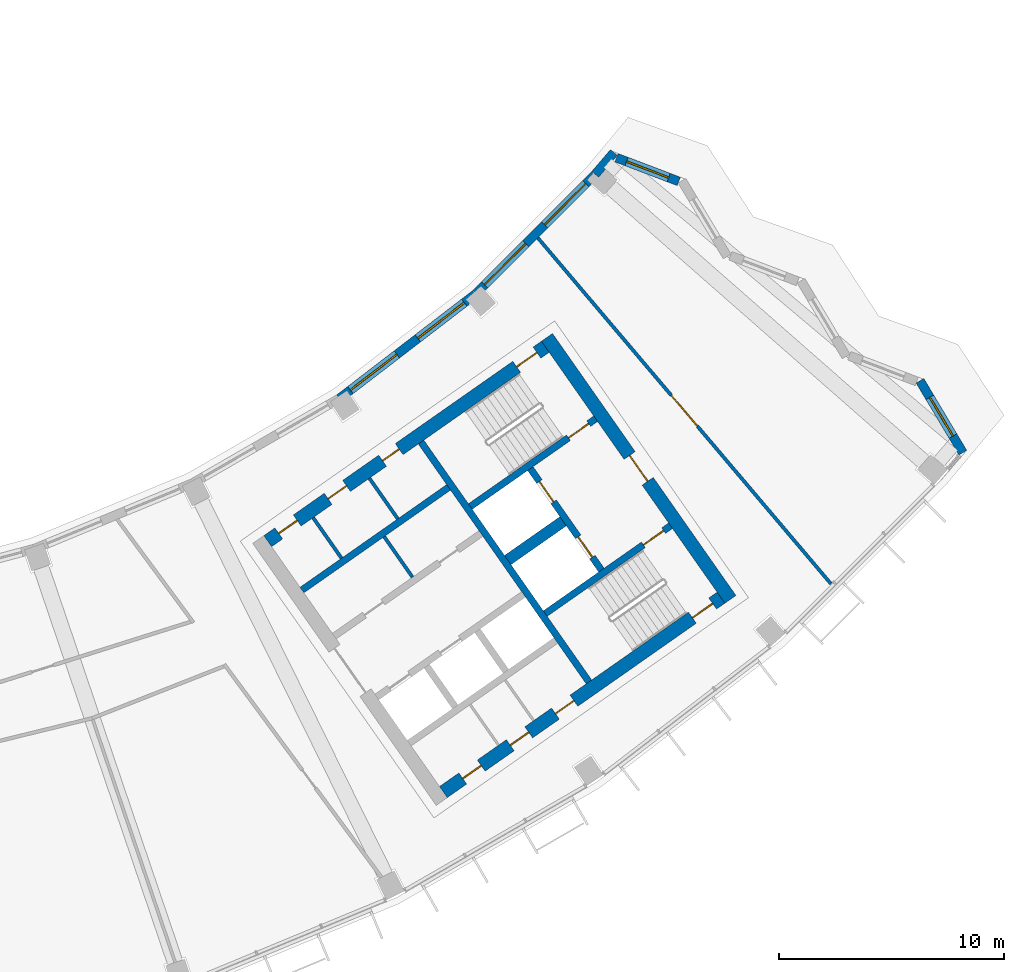
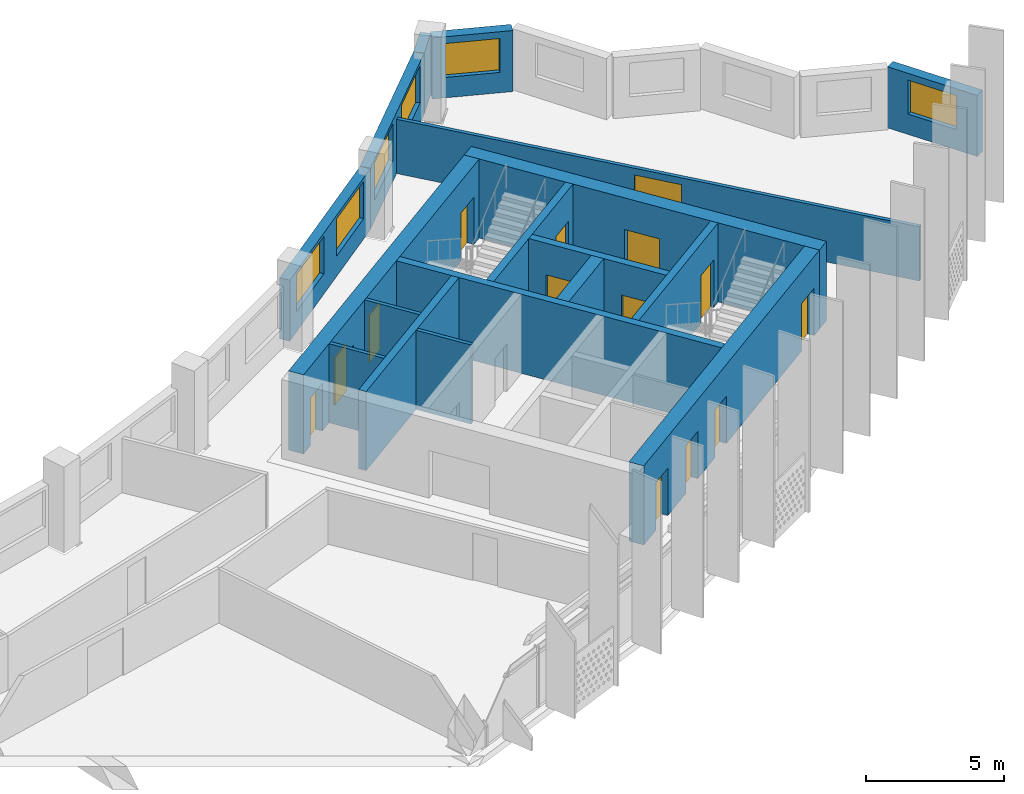
# One storey, part 6 of 29: 18 walls, 14 doors, 6 windows, 20 openings.
"""IFC4 building model written with IfcOpenShell, lengths in metres."""

from ifc_helpers import new_model, si_unit, direction, frame, frame_2d, origin, place, context, subcontext, project, spatial, rectangle, extrude, material, layer, layer_set, type_object, element, fill, save


model = new_model("IFC4")

# Units and contexts
model_context = context("Model", 3, precision=1e-05, world=origin(), true_north=direction((0.0, 1.0)))
body_context = subcontext(model_context, "Body", "Model", "MODEL_VIEW")
ifc_project = project(units=[si_unit("LENGTHUNIT", "METRE"), si_unit("AREAUNIT", "SQUARE_METRE"), si_unit("VOLUMEUNIT", "CUBIC_METRE"), si_unit("PLANEANGLEUNIT", "RADIAN"), si_unit("MASSUNIT", "GRAM", prefix="KILO")], contexts=[model_context])

# Site, building, storey
site_placement = place(None, origin())
site = spatial("IfcSite", under=ifc_project, at=site_placement, CompositionType="ELEMENT")
building_placement = place(site_placement, origin())
building = spatial("IfcBuilding", under=site, at=building_placement, Name="Qamariyya Broadcast Tower", CompositionType="ELEMENT")
storey_placement = place(building_placement, frame((0.0, 0.0, 258.10009765625)))
storey = spatial("IfcBuildingStorey", under=building, at=storey_placement, Name="L62", CompositionType="ELEMENT", Elevation=258.10009765625)

# Wall, opening, door
ifc_material_1 = material(Name="Concrete C60/75", Category="concrete")
ifc_layer_1 = layer(ifc_material_1, 0.60009765625)
ifc_layer_set_1 = layer_set([ifc_layer_1], Name="Core wall 600 mm Concrete C60/75")
wall_type_1 = type_object("IfcWallType", Name="Core wall 600 mm Concrete C60/75", PredefinedType="SHEAR", material=ifc_layer_set_1)
wall_1_placement = place(storey_placement, frame((49.4833984375, -57.031494140625, 0.0), z_axis=(0.0, 0.0, 1.0), x_axis=(-0.573560421458, 0.819163257805, 0.0)))
wall_1 = element("IfcWall", 1, at=wall_1_placement, inside=storey, type_object=wall_type_1, Name="k-E-L62-WH", PredefinedType="SHEAR", context=body_context, shape_type="SweptSolid", body=[
    extrude(rectangle(XDim=14.199951171875, YDim=0.60009765625, at=frame_2d((7.10009765625, 0.0))), origin(), (0.0, 0.0, 1.0), 3.5),
])
opening_1_placement = place(wall_1_placement, frame((6.39990234375, 0.0, 0.0)))
opening_1 = element("IfcOpeningElement", 2, at=opening_1_placement, cuts=wall_1, Name="Opening KD2-E1", PredefinedType="OPENING", context=body_context, shape_type="SweptSolid", body=[
    extrude(rectangle(XDim=1.39990234375, YDim=2.10009765625, at=frame_2d((0.699951171875, 1.050048828125))), frame((0.0, 0.31005859375, 0.0), z_axis=(0.0, -1.0, 0.0), x_axis=(1.0, 0.0, 0.0)), (0.0, 0.0, 1.0), 0.6201171875),
])
ifc_material_2 = material(Name="Steel fire-resisting door leaf", Category="steel")
door_type_1 = type_object("IfcDoorType", Name="Fire-fighting lobby door KD2", OperationType="DOUBLE_DOOR_SINGLE_SWING", PredefinedType="DOOR", material=ifc_material_2)
door_1_placement = place(opening_1_placement, origin())
door_1 = element("IfcDoor", 3, at=door_1_placement, inside=storey, type_object=door_type_1, Name="k-E-L62-WH-D14", OperationType="DOUBLE_DOOR_SINGLE_SWING", OverallHeight=2.10009765625, OverallWidth=1.39990234375, PredefinedType="DOOR", context=body_context, shape_type="SweptSolid", body=[
    extrude(rectangle(XDim=1.39990234375, YDim=2.10009765625, at=frame_2d((0.699951171875, 1.050048828125))), frame((0.0, 0.02490234375, 0.0), z_axis=(0.0, -1.0, 0.0), x_axis=(1.0, 0.0, 0.0)), (0.0, 0.0, 1.0), 0.050048828125),
])
fill(opening_1, door_1)

# Wall, openings, doors
wall_2_placement = place(storey_placement, frame((28.940673828125, -54.447021484375, 0.0), z_axis=(0.0, 0.0, 1.0), x_axis=(0.819153391756, 0.573574511963, 0.0)))
wall_2 = element("IfcWall", 4, at=wall_2_placement, inside=storey, type_object=wall_type_1, Name="k-E-L62-WI", PredefinedType="SHEAR", context=body_context, shape_type="SweptSolid", body=[
    extrude(rectangle(XDim=15.04541015625, YDim=0.60009765625, at=frame_2d((7.522705078125, 0.0))), origin(), (0.0, 0.0, 1.0), 3.5),
])
opening_2_placement = place(wall_2_placement, frame((0.60009765625, 0.0, 0.0)))
opening_2 = element("IfcOpeningElement", 5, at=opening_2_placement, cuts=wall_2, Name="Opening KD7-E1", PredefinedType="OPENING", context=body_context, shape_type="SweptSolid", body=[
    extrude(rectangle(XDim=1.0, YDim=2.10009765625, at=frame_2d((0.5, 1.050048828125))), frame((0.0, 0.31005859375, 0.0), z_axis=(0.0, -1.0, 0.0), x_axis=(1.0, 0.0, 0.0)), (0.0, 0.0, 1.0), 0.6201171875),
])
opening_3_placement = place(wall_2_placement, frame((3.27490234375, 0.0, 0.0)))
opening_3 = element("IfcOpeningElement", 6, at=opening_3_placement, cuts=wall_2, Name="Opening KD6-E3", PredefinedType="OPENING", context=body_context, shape_type="SweptSolid", body=[
    extrude(rectangle(XDim=1.0, YDim=2.10009765625, at=frame_2d((0.5, 1.050048828125))), frame((0.0, 0.31005859375, 0.0), z_axis=(0.0, -1.0, 0.0), x_axis=(1.0, 0.0, 0.0)), (0.0, 0.0, 1.0), 0.6201171875),
])
opening_4_placement = place(wall_2_placement, frame((6.22509765625, 0.0, 0.0)))
opening_4 = element("IfcOpeningElement", 7, at=opening_4_placement, cuts=wall_2, Name="Opening KD5-E1", PredefinedType="OPENING", context=body_context, shape_type="SweptSolid", body=[
    extrude(rectangle(XDim=0.89990234375, YDim=2.10009765625, at=frame_2d((0.449951171875, 1.050048828125))), frame((0.0, 0.31005859375, 0.0), z_axis=(0.0, -1.0, 0.0), x_axis=(1.0, 0.0, 0.0)), (0.0, 0.0, 1.0), 0.6201171875),
])
opening_5_placement = place(wall_2_placement, frame((13.495361328125, 0.0, 0.0)))
opening_5 = element("IfcOpeningElement", 8, at=opening_5_placement, cuts=wall_2, Name="Opening KD1-E1", PredefinedType="OPENING", context=body_context, shape_type="SweptSolid", body=[
    extrude(rectangle(XDim=1.10009765625, YDim=2.10009765625, at=frame_2d((0.550048828125, 1.050048828125))), frame((0.0, 0.31005859375, 0.0), z_axis=(0.0, -1.0, 0.0), x_axis=(1.0, 0.0, 0.0)), (0.0, 0.0, 1.0), 0.6201171875),
])
door_type_2 = type_object("IfcDoorType", Name="Accessible toilet door KD7", OperationType="SINGLE_SWING_LEFT", PredefinedType="DOOR", material=ifc_material_2)
door_2_placement = place(opening_2_placement, origin())
door_2 = element("IfcDoor", 9, at=door_2_placement, inside=storey, type_object=door_type_2, Name="k-E-L62-WI-D6", OperationType="SINGLE_SWING_RIGHT", OverallHeight=2.10009765625, OverallWidth=1.0, PredefinedType="DOOR", context=body_context, shape_type="SweptSolid", body=[
    extrude(rectangle(XDim=1.0, YDim=2.10009765625, at=frame_2d((0.5, 1.050048828125))), frame((0.0, 0.02490234375, 0.0), z_axis=(0.0, -1.0, 0.0), x_axis=(1.0, 0.0, 0.0)), (0.0, 0.0, 1.0), 0.050048828125),
])
fill(opening_2, door_2)
door_type_3 = type_object("IfcDoorType", Name="Core room door KD6", OperationType="SINGLE_SWING_LEFT", PredefinedType="DOOR", material=ifc_material_2)
door_3_placement = place(opening_3_placement, origin())
door_3 = element("IfcDoor", 10, at=door_3_placement, inside=storey, type_object=door_type_3, Name="k-E-L62-WI-D7", OperationType="SINGLE_SWING_LEFT", OverallHeight=2.10009765625, OverallWidth=1.0, PredefinedType="DOOR", context=body_context, shape_type="SweptSolid", body=[
    extrude(rectangle(XDim=1.0, YDim=2.10009765625, at=frame_2d((0.5, 1.050048828125))), frame((0.0, 0.02490234375, 0.0), z_axis=(0.0, -1.0, 0.0), x_axis=(1.0, 0.0, 0.0)), (0.0, 0.0, 1.0), 0.050048828125),
])
fill(opening_3, door_3)
door_type_4 = type_object("IfcDoorType", Name="Stair door KD1", OperationType="SINGLE_SWING_LEFT", PredefinedType="DOOR", material=ifc_material_2)
door_4_placement = place(opening_5_placement, origin())
door_4 = element("IfcDoor", 11, at=door_4_placement, inside=storey, type_object=door_type_4, Name="k-E-L62-WI-D15", OperationType="SINGLE_SWING_RIGHT", OverallHeight=2.10009765625, OverallWidth=1.10009765625, PredefinedType="DOOR", context=body_context, shape_type="SweptSolid", body=[
    extrude(rectangle(XDim=1.10009765625, YDim=2.10009765625, at=frame_2d((0.550048828125, 1.050048828125))), frame((0.0, 0.02490234375, 0.0), z_axis=(0.0, -1.0, 0.0), x_axis=(1.0, 0.0, 0.0)), (0.0, 0.0, 1.0), 0.050048828125),
])
fill(opening_5, door_4)
door_type_5 = type_object("IfcDoorType", Name="Toilet door KD5", OperationType="SINGLE_SWING_LEFT", PredefinedType="DOOR", material=ifc_material_2)
door_5_placement = place(opening_4_placement, origin())
door_5 = element("IfcDoor", 12, at=door_5_placement, inside=storey, type_object=door_type_5, Name="k-E-L62-WI-D8", OperationType="SINGLE_SWING_RIGHT", OverallHeight=2.10009765625, OverallWidth=0.89990234375, PredefinedType="DOOR", context=body_context, shape_type="SweptSolid", body=[
    extrude(rectangle(XDim=0.89990234375, YDim=2.10009765625, at=frame_2d((0.449951171875, 1.050048828125))), frame((0.0, 0.02490234375, 0.0), z_axis=(0.0, -1.0, 0.0), x_axis=(1.0, 0.0, 0.0)), (0.0, 0.0, 1.0), 0.050048828125),
])
fill(opening_4, door_5)

wall_3_placement = place(storey_placement, frame((36.7412109375, -65.58740234375, 0.0), z_axis=(0.0, 0.0, 1.0), x_axis=(0.819153391756, 0.573574511963, 0.0)))
wall_3 = element("IfcWall", 13, at=wall_3_placement, inside=storey, type_object=wall_type_1, Name="k-E-L62-WO", PredefinedType="SHEAR", context=body_context, shape_type="SweptSolid", body=[
    extrude(rectangle(XDim=15.04541015625, YDim=0.60009765625, at=frame_2d((7.522705078125, 0.0))), origin(), (0.0, 0.0, 1.0), 3.5),
])
opening_6_placement = place(wall_3_placement, frame((1.050048828125, 0.0, 0.0)))
opening_6 = element("IfcOpeningElement", 14, at=opening_6_placement, cuts=wall_3, Name="Opening KD4-E1", PredefinedType="OPENING", context=body_context, shape_type="SweptSolid", body=[
    extrude(rectangle(XDim=1.0, YDim=2.10009765625, at=frame_2d((0.5, 1.050048828125))), frame((0.0, 0.31005859375, 0.0), z_axis=(0.0, -1.0, 0.0), x_axis=(1.0, 0.0, 0.0)), (0.0, 0.0, 1.0), 0.6201171875),
])
opening_7_placement = place(wall_3_placement, frame((3.625, 0.0, 0.0)))
opening_7 = element("IfcOpeningElement", 15, at=opening_7_placement, cuts=wall_3, Name="Opening KD4-E2", PredefinedType="OPENING", context=body_context, shape_type="SweptSolid", body=[
    extrude(rectangle(XDim=1.0, YDim=2.10009765625, at=frame_2d((0.5, 1.050048828125))), frame((0.0, 0.31005859375, 0.0), z_axis=(0.0, -1.0, 0.0), x_axis=(1.0, 0.0, 0.0)), (0.0, 0.0, 1.0), 0.6201171875),
])
opening_8_placement = place(wall_3_placement, frame((6.074951171875, 0.0, 0.0)))
opening_8 = element("IfcOpeningElement", 16, at=opening_8_placement, cuts=wall_3, Name="Opening KD6-E4", PredefinedType="OPENING", context=body_context, shape_type="SweptSolid", body=[
    extrude(rectangle(XDim=1.0, YDim=2.10009765625, at=frame_2d((0.5, 1.050048828125))), frame((0.0, 0.31005859375, 0.0), z_axis=(0.0, -1.0, 0.0), x_axis=(1.0, 0.0, 0.0)), (0.0, 0.0, 1.0), 0.6201171875),
])
opening_9_placement = place(wall_3_placement, frame((13.495361328125, 0.0, 0.0)))
opening_9 = element("IfcOpeningElement", 17, at=opening_9_placement, cuts=wall_3, Name="Opening KD1-E3", PredefinedType="OPENING", context=body_context, shape_type="SweptSolid", body=[
    extrude(rectangle(XDim=1.10009765625, YDim=2.10009765625, at=frame_2d((0.550048828125, 1.050048828125))), frame((0.0, 0.31005859375, 0.0), z_axis=(0.0, -1.0, 0.0), x_axis=(1.0, 0.0, 0.0)), (0.0, 0.0, 1.0), 0.6201171875),
])
door_6_placement = place(opening_8_placement, origin())
door_6 = element("IfcDoor", 18, at=door_6_placement, inside=storey, type_object=door_type_3, Name="k-E-L62-WO-D11", OperationType="SINGLE_SWING_LEFT", OverallHeight=2.10009765625, OverallWidth=1.0, PredefinedType="DOOR", context=body_context, shape_type="SweptSolid", body=[
    extrude(rectangle(XDim=1.0, YDim=2.10009765625, at=frame_2d((0.5, 1.050048828125))), frame((0.0, 0.02490234375, 0.0), z_axis=(0.0, -1.0, 0.0), x_axis=(1.0, 0.0, 0.0)), (0.0, 0.0, 1.0), 0.050048828125),
])
fill(opening_8, door_6)
door_type_6 = type_object("IfcDoorType", Name="Riser and plant door KD4", OperationType="SINGLE_SWING_LEFT", PredefinedType="DOOR", material=ifc_material_2)
door_7_placement = place(opening_6_placement, origin())
door_7 = element("IfcDoor", 19, at=door_7_placement, inside=storey, type_object=door_type_6, Name="k-E-L62-WO-D9", OperationType="SINGLE_SWING_LEFT", OverallHeight=2.10009765625, OverallWidth=1.0, PredefinedType="DOOR", context=body_context, shape_type="SweptSolid", body=[
    extrude(rectangle(XDim=1.0, YDim=2.10009765625, at=frame_2d((0.5, 1.050048828125))), frame((0.0, 0.02490234375, 0.0), z_axis=(0.0, -1.0, 0.0), x_axis=(1.0, 0.0, 0.0)), (0.0, 0.0, 1.0), 0.050048828125),
])
fill(opening_6, door_7)
door_8_placement = place(opening_7_placement, origin())
door_8 = element("IfcDoor", 20, at=door_8_placement, inside=storey, type_object=door_type_6, Name="k-E-L62-WO-D10", OperationType="SINGLE_SWING_RIGHT", OverallHeight=2.10009765625, OverallWidth=1.0, PredefinedType="DOOR", context=body_context, shape_type="SweptSolid", body=[
    extrude(rectangle(XDim=1.0, YDim=2.10009765625, at=frame_2d((0.5, 1.050048828125))), frame((0.0, 0.02490234375, 0.0), z_axis=(0.0, -1.0, 0.0), x_axis=(1.0, 0.0, 0.0)), (0.0, 0.0, 1.0), 0.050048828125),
])
fill(opening_7, door_8)
door_9_placement = place(opening_9_placement, origin())
door_9 = element("IfcDoor", 21, at=door_9_placement, inside=storey, type_object=door_type_4, Name="k-E-L62-WO-D17", OperationType="SINGLE_SWING_LEFT", OverallHeight=2.10009765625, OverallWidth=1.10009765625, PredefinedType="DOOR", context=body_context, shape_type="SweptSolid", body=[
    extrude(rectangle(XDim=1.10009765625, YDim=2.10009765625, at=frame_2d((0.550048828125, 1.050048828125))), frame((0.0, 0.02490234375, 0.0), z_axis=(0.0, -1.0, 0.0), x_axis=(1.0, 0.0, 0.0)), (0.0, 0.0, 1.0), 0.050048828125),
])
fill(opening_9, door_9)

# Wall, opening, door
ifc_material_3 = material(Name="Gypsum board partition")
ifc_layer_2 = layer(ifc_material_3, 0.14990234375)
ifc_layer_set_2 = layer_set([ifc_layer_2], Name="Corridor partition 150 EI 60")
wall_type_2 = type_object("IfcWallType", Name="Corridor partition 150 EI 60", PredefinedType="PARTITIONING", material=ifc_layer_set_2)
wall_4_placement = place(storey_placement, frame((40.93603515625, -40.982666015625, 0.0), z_axis=(0.0, 0.0, 1.0), x_axis=(0.646426079671, -0.76297662056, 0.0)))
wall_4 = element("IfcWall", 22, at=wall_4_placement, inside=storey, type_object=wall_type_2, Name="Partition L62-030", PredefinedType="PARTITIONING", context=body_context, shape_type="SweptSolid", body=[
    extrude(rectangle(XDim=20.1259765625, YDim=0.14990234375, at=frame_2d((10.06298828125, 0.0))), origin(), (0.0, 0.0, 1.0), 2.39990234375),
])
opening_10_placement = place(wall_4_placement, frame((9.1630859375, 0.0, 0.0)))
opening_10 = element("IfcOpeningElement", 23, at=opening_10_placement, cuts=wall_4, Name="Opening L62-D15", PredefinedType="OPENING", context=body_context, shape_type="SweptSolid", body=[
    extrude(rectangle(XDim=1.800048828125, YDim=2.10009765625, at=frame_2d((0.89990234375, 1.050048828125))), frame((0.0, 0.0849609375, 0.0), z_axis=(0.0, -1.0, 0.0), x_axis=(1.0, 0.0, 0.0)), (0.0, 0.0, 1.0), 0.169921875),
])
ifc_material_4 = material(Name="Timber fire door leaf", Category="wood")
door_type_7 = type_object("IfcDoorType", Name="Double fire door 1800 x 2100 FD60", OperationType="NOTDEFINED", PredefinedType="DOOR", material=ifc_material_4)
door_10_placement = place(opening_10_placement, origin())
door_10 = element("IfcDoor", 24, at=door_10_placement, inside=storey, type_object=door_type_7, Name="Door L62-D15", OperationType="DOUBLE_DOOR_SINGLE_SWING", OverallHeight=2.10009765625, OverallWidth=1.800048828125, PredefinedType="DOOR", context=body_context, shape_type="SweptSolid", body=[
    extrude(rectangle(XDim=1.800048828125, YDim=2.10009765625, at=frame_2d((0.89990234375, 1.050048828125))), frame((0.0, 0.02490234375, 0.0), z_axis=(0.0, -1.0, 0.0), x_axis=(1.0, 0.0, 0.0)), (0.0, 0.0, 1.0), 0.050048828125),
])
fill(opening_10, door_10)

# Walls
ifc_layer_3 = layer(ifc_material_1, 0.5)
ifc_layer_set_3 = layer_set([ifc_layer_3], Name="Fire-fighting lobby divider wall 500 mm Concrete C60/75")
wall_type_3 = type_object("IfcWallType", Name="Fire-fighting lobby divider wall 500 mm Concrete C60/75", PredefinedType="SOLIDWALL", material=ifc_layer_set_3)
wall_5_placement = place(storey_placement, frame((39.59912109375, -55.28515625, 0.0), z_axis=(0.0, 0.0, 1.0), x_axis=(0.819136323161, 0.573598887793, 0.0)))
element("IfcWall", 25, at=wall_5_placement, inside=storey, type_object=wall_type_3, Name="k-E-L62-FD", PredefinedType="SOLIDWALL", context=body_context, shape_type="SweptSolid", body=[
    extrude(rectangle(XDim=2.999755859375, YDim=0.5, at=frame_2d((1.5, 0.0))), origin(), (0.0, 0.0, 1.0), 3.5),
])
ifc_material_5 = material(Name="Gypsum board partition on steel studs", Category="steel")
ifc_layer_4 = layer(ifc_material_5, 0.14990234375)
ifc_layer_set_4 = layer_set([ifc_layer_4], Name="Gypsum board partition 150 mm")
wall_type_4 = type_object("IfcWallType", Name="Gypsum board partition 150 mm", PredefinedType="PARTITIONING", material=ifc_layer_set_4)
wall_6_placement = place(storey_placement, frame((35.371826171875, -56.047607421875, 0.0), z_axis=(0.0, 0.0, 1.0), x_axis=(-0.573559170999, 0.819164133348, 0.0)))
element("IfcWall", 26, at=wall_6_placement, inside=storey, type_object=wall_type_4, Name="k-E-L62-NC435", PredefinedType="PARTITIONING", context=body_context, shape_type="SweptSolid", body=[
    extrude(rectangle(XDim=2.19970703125, YDim=0.14990234375, at=frame_2d((1.099853515625, 0.0))), origin(), (0.0, 0.0, 1.0), 3.5),
])
wall_7_placement = place(storey_placement, frame((32.2177734375, -55.204345703125, 0.0), z_axis=(0.0, 0.0, 1.0), x_axis=(-0.573581496053, 0.819148501424, 0.0)))
element("IfcWall", 27, at=wall_7_placement, inside=storey, type_object=wall_type_4, Name="k-E-L62-NP225", PredefinedType="PARTITIONING", context=body_context, shape_type="SweptSolid", body=[
    extrude(rectangle(XDim=2.2001953125, YDim=0.14990234375, at=frame_2d((1.10009765625, 0.0))), origin(), (0.0, 0.0, 1.0), 3.5),
])
wall_8_placement = place(storey_placement, frame((34.716064453125, -53.454833984375, 0.0), z_axis=(0.0, 0.0, 1.0), x_axis=(-0.573507030513, 0.819200638399, 0.0)))
element("IfcWall", 28, at=wall_8_placement, inside=storey, type_object=wall_type_4, Name="k-E-L62-NP530", PredefinedType="PARTITIONING", context=body_context, shape_type="SweptSolid", body=[
    extrude(rectangle(XDim=2.199951171875, YDim=0.14990234375, at=frame_2d((1.10009765625, 0.0))), origin(), (0.0, 0.0, 1.0), 3.5),
])
ifc_layer_5 = layer(ifc_material_1, 0.300048828125)
ifc_layer_set_5 = layer_set([ifc_layer_5], Name="Lift shaft wall 300 mm Concrete C60/75")
wall_type_5 = type_object("IfcWallType", Name="Lift shaft wall 300 mm Concrete C60/75", PredefinedType="SOLIDWALL", material=ifc_layer_set_5)
wall_9_placement = place(storey_placement, frame((43.204345703125, -60.69580078125, 0.0), z_axis=(0.0, 0.0, 1.0), x_axis=(-0.573571992966, 0.819155155563, 0.0)))
element("IfcWall", 29, at=wall_9_placement, inside=storey, type_object=wall_type_5, Name="k-E-L62-WL", PredefinedType="SOLIDWALL", context=body_context, shape_type="SweptSolid", body=[
    extrude(rectangle(XDim=13.000244140625, YDim=0.300048828125, at=frame_2d((6.5, 0.0))), origin(), (0.0, 0.0, 1.0), 3.5),
])
wall_10_placement = place(storey_placement, frame((30.460693359375, -56.61767578125, 0.0), z_axis=(0.0, 0.0, 1.0), x_axis=(0.819142461705, 0.573590121456, 0.0)))
element("IfcWall", 30, at=wall_10_placement, inside=storey, type_object=wall_type_5, Name="k-E-L62-NB0", PredefinedType="SOLIDWALL", context=body_context, shape_type="SweptSolid", body=[
    extrude(rectangle(XDim=7.949951171875, YDim=0.300048828125, at=frame_2d((3.97509765625, 0.0))), origin(), (0.0, 0.0, 1.0), 3.5),
])

# Wall, opening, door
wall_11_placement = place(storey_placement, frame((37.935546875, -52.90966796875, 0.0), z_axis=(0.0, 0.0, 1.0), x_axis=(0.819147518138, 0.57358290031, 0.0)))
wall_11 = element("IfcWall", 31, at=wall_11_placement, inside=storey, type_object=wall_type_5, Name="k-E-L62-NW", PredefinedType="SOLIDWALL", context=body_context, shape_type="SweptSolid", body=[
    extrude(rectangle(XDim=6.79541015625, YDim=0.300048828125, at=frame_2d((3.397705078125, 0.0))), origin(), (0.0, 0.0, 1.0), 3.5),
])
opening_11_placement = place(wall_11_placement, frame((5.3203125, 0.0, 0.0)))
opening_11 = element("IfcOpeningElement", 32, at=opening_11_placement, cuts=wall_11, Name="Opening KD1-E2", PredefinedType="OPENING", context=body_context, shape_type="SweptSolid", body=[
    extrude(rectangle(XDim=1.10009765625, YDim=2.10009765625, at=frame_2d((0.550048828125, 1.050048828125))), frame((0.0, 0.159912109375, 0.0), z_axis=(0.0, -1.0, 0.0), x_axis=(1.0, 0.0, 0.0)), (0.0, 0.0, 1.0), 0.320068359375),
])
door_11_placement = place(opening_11_placement, origin())
door_11 = element("IfcDoor", 33, at=door_11_placement, inside=storey, type_object=door_type_4, Name="k-E-L62-NW-D16", OperationType="SINGLE_SWING_RIGHT", OverallHeight=2.10009765625, OverallWidth=1.10009765625, PredefinedType="DOOR", context=body_context, shape_type="SweptSolid", body=[
    extrude(rectangle(XDim=1.10009765625, YDim=2.10009765625, at=frame_2d((0.550048828125, 1.050048828125))), frame((0.0, 0.02490234375, 0.0), z_axis=(0.0, -1.0, 0.0), x_axis=(1.0, 0.0, 0.0)), (0.0, 0.0, 1.0), 0.050048828125),
])
fill(opening_11, door_11)

wall_12_placement = place(storey_placement, frame((41.262451171875, -57.66064453125, 0.0), z_axis=(0.0, 0.0, 1.0), x_axis=(0.819164398642, 0.573558792102, 0.0)))
wall_12 = element("IfcWall", 34, at=wall_12_placement, inside=storey, type_object=wall_type_5, Name="k-E-L62-SW", PredefinedType="SOLIDWALL", context=body_context, shape_type="SweptSolid", body=[
    extrude(rectangle(XDim=6.795166015625, YDim=0.300048828125, at=frame_2d((3.3974609375, 0.0))), origin(), (0.0, 0.0, 1.0), 3.5),
])
opening_12_placement = place(wall_12_placement, frame((5.3203125, 0.0, 0.0)))
opening_12 = element("IfcOpeningElement", 35, at=opening_12_placement, cuts=wall_12, Name="Opening KD1-E4", PredefinedType="OPENING", context=body_context, shape_type="SweptSolid", body=[
    extrude(rectangle(XDim=1.10009765625, YDim=2.10009765625, at=frame_2d((0.550048828125, 1.050048828125))), frame((0.0, 0.159912109375, 0.0), z_axis=(0.0, -1.0, 0.0), x_axis=(1.0, 0.0, 0.0)), (0.0, 0.0, 1.0), 0.320068359375),
])
door_12_placement = place(opening_12_placement, origin())
door_12 = element("IfcDoor", 36, at=door_12_placement, inside=storey, type_object=door_type_4, Name="k-E-L62-SW-D18", OperationType="SINGLE_SWING_RIGHT", OverallHeight=2.10009765625, OverallWidth=1.10009765625, PredefinedType="DOOR", context=body_context, shape_type="SweptSolid", body=[
    extrude(rectangle(XDim=1.10009765625, YDim=2.10009765625, at=frame_2d((0.550048828125, 1.050048828125))), frame((0.0, 0.02490234375, 0.0), z_axis=(0.0, -1.0, 0.0), x_axis=(1.0, 0.0, 0.0)), (0.0, 0.0, 1.0), 0.050048828125),
])
fill(opening_12, door_12)

# Wall, openings, doors
wall_13_placement = place(storey_placement, frame((43.756591796875, -55.731201171875, 0.0), z_axis=(0.0, 0.0, 1.0), x_axis=(-0.573536818435, 0.819179783625, 0.0)))
wall_13 = element("IfcWall", 37, at=wall_13_placement, inside=storey, type_object=wall_type_5, Name="k-E-L62-FF", PredefinedType="SOLIDWALL", context=body_context, shape_type="SweptSolid", body=[
    extrude(rectangle(XDim=5.500244140625, YDim=0.300048828125, at=frame_2d((2.75, 0.0))), origin(), (0.0, 0.0, 1.0), 3.5),
])
opening_13_placement = place(wall_13_placement, frame((0.699951171875, 0.0, 0.0)))
opening_13 = element("IfcOpeningElement", 38, at=opening_13_placement, cuts=wall_13, Name="Opening LD", PredefinedType="OPENING", context=body_context, shape_type="SweptSolid", body=[
    extrude(rectangle(XDim=1.10009765625, YDim=2.10009765625, at=frame_2d((0.550048828125, 1.050048828125))), frame((0.0, 0.159912109375, 0.0), z_axis=(0.0, -1.0, 0.0), x_axis=(1.0, 0.0, 0.0)), (0.0, 0.0, 1.0), 0.320068359375),
])
opening_14_placement = place(wall_13_placement, frame((3.699951171875, 0.0, 0.0)))
opening_14 = element("IfcOpeningElement", 39, at=opening_14_placement, cuts=wall_13, Name="Opening LD", PredefinedType="OPENING", context=body_context, shape_type="SweptSolid", body=[
    extrude(rectangle(XDim=1.10009765625, YDim=2.10009765625, at=frame_2d((0.550048828125, 1.050048828125))), frame((0.0, 0.159912109375, 0.0), z_axis=(0.0, -1.0, 0.0), x_axis=(1.0, 0.0, 0.0)), (0.0, 0.0, 1.0), 0.320068359375),
])
door_type_8 = type_object("IfcDoorType", Name="Lift landing door LD", OperationType="DOUBLE_DOOR_SLIDING", PredefinedType="DOOR", material=ifc_material_2)
door_13_placement = place(opening_13_placement, origin())
door_13 = element("IfcDoor", 40, at=door_13_placement, inside=storey, type_object=door_type_8, Name="k-E-L62-FF-D12", OperationType="DOUBLE_DOOR_SLIDING", OverallHeight=2.10009765625, OverallWidth=1.10009765625, PredefinedType="DOOR", context=body_context, shape_type="SweptSolid", body=[
    extrude(rectangle(XDim=1.10009765625, YDim=2.10009765625, at=frame_2d((0.550048828125, 1.050048828125))), frame((0.0, 0.02490234375, 0.0), z_axis=(0.0, -1.0, 0.0), x_axis=(1.0, 0.0, 0.0)), (0.0, 0.0, 1.0), 0.050048828125),
])
fill(opening_13, door_13)
door_14_placement = place(opening_14_placement, origin())
door_14 = element("IfcDoor", 41, at=door_14_placement, inside=storey, type_object=door_type_8, Name="k-E-L62-FF-D13", OperationType="DOUBLE_DOOR_SLIDING", OverallHeight=2.10009765625, OverallWidth=1.10009765625, PredefinedType="DOOR", context=body_context, shape_type="SweptSolid", body=[
    extrude(rectangle(XDim=1.10009765625, YDim=2.10009765625, at=frame_2d((0.550048828125, 1.050048828125))), frame((0.0, 0.02490234375, 0.0), z_axis=(0.0, -1.0, 0.0), x_axis=(1.0, 0.0, 0.0)), (0.0, 0.0, 1.0), 0.050048828125),
])
fill(opening_14, door_14)

# Wall, opening, window
ifc_material_6 = material(Name="Terracotta", Category="masonry")
ifc_layer_6 = layer(ifc_material_6, 0.39990234375)
ifc_layer_set_6 = layer_set([ifc_layer_6], Name="Terracotta clad wall 400")
wall_type_6 = type_object("IfcWallType", Name="Terracotta clad wall 400", PredefinedType="SOLIDWALL", material=ifc_layer_set_6)
wall_14_placement = place(storey_placement, frame((59.803955078125, -50.517333984375, 0.0), z_axis=(0.0, 0.0, 1.0), x_axis=(-0.512388772464, 0.858753600198, 0.0)))
wall_14 = element("IfcWall", 42, at=wall_14_placement, inside=storey, type_object=wall_type_6, Name="e-wl-L62-capE0", PredefinedType="SOLIDWALL", context=body_context, shape_type="SweptSolid", body=[
    extrude(rectangle(XDim=3.717529296875, YDim=0.39990234375, at=frame_2d((1.85888671875, 0.0))), origin(), (0.0, 0.0, 1.0), 2.699951171875),
])
opening_15_placement = place(wall_14_placement, frame((0.858642578125, 0.0, 0.89990234375)))
opening_15 = element("IfcOpeningElement", 43, at=opening_15_placement, cuts=wall_14, Name="Opening W4", PredefinedType="OPENING", context=body_context, shape_type="SweptSolid", body=[
    extrude(rectangle(XDim=2.0, YDim=1.5, at=frame_2d((1.0, 0.75))), frame((0.0, 0.2099609375, 0.0), z_axis=(0.0, -1.0, 0.0), x_axis=(1.0, 0.0, 0.0)), (0.0, 0.0, 1.0), 0.419921875),
])
ifc_material_7 = material(Name="Clear low-e double glazed unit in aluminium frame", Category="aluminium")
window_type_1 = type_object("IfcWindowType", Name="Horn bay window 2000 x 1500", PartitioningType="SINGLE_PANEL", PredefinedType="WINDOW", material=ifc_material_7)
window_1_placement = place(opening_15_placement, origin())
window_1 = element("IfcWindow", 44, at=window_1_placement, inside=storey, type_object=window_type_1, Name="e-w-L62-capE0", OverallHeight=1.5, OverallWidth=2.0, PartitioningType="SINGLE_PANEL", PredefinedType="WINDOW", context=body_context, shape_type="SweptSolid", body=[
    extrude(rectangle(XDim=2.0, YDim=1.5, at=frame_2d((1.0, 0.75))), frame((0.0, 0.030029296875, 0.0), z_axis=(0.0, -1.0, 0.0), x_axis=(1.0, 0.0, 0.0)), (0.0, 0.0, 1.0), 0.06005859375),
])
fill(opening_15, window_1)

wall_15_placement = place(storey_placement, frame((47.190673828125, -38.472412109375, 0.0), z_axis=(0.0, 0.0, 1.0), x_axis=(-0.934767142286, 0.3552610163, 0.0)))
wall_15 = element("IfcWall", 45, at=wall_15_placement, inside=storey, type_object=wall_type_6, Name="e-wl-L62-capE5", PredefinedType="SOLIDWALL", context=body_context, shape_type="SweptSolid", body=[
    extrude(rectangle(XDim=2.959228515625, YDim=0.39990234375, at=frame_2d((1.4794921875, 0.0))), origin(), (0.0, 0.0, 1.0), 2.699951171875),
])
opening_16_placement = place(wall_15_placement, frame((0.4794921875, 0.0, 0.89990234375)))
opening_16 = element("IfcOpeningElement", 46, at=opening_16_placement, cuts=wall_15, Name="Opening W4", PredefinedType="OPENING", context=body_context, shape_type="SweptSolid", body=[
    extrude(rectangle(XDim=2.0, YDim=1.5, at=frame_2d((1.0, 0.75))), frame((0.0, 0.2099609375, 0.0), z_axis=(0.0, -1.0, 0.0), x_axis=(1.0, 0.0, 0.0)), (0.0, 0.0, 1.0), 0.419921875),
])
window_2_placement = place(opening_16_placement, origin())
window_2 = element("IfcWindow", 47, at=window_2_placement, inside=storey, type_object=window_type_1, Name="e-w-L62-capE5", OverallHeight=1.5, OverallWidth=2.0, PartitioningType="SINGLE_PANEL", PredefinedType="WINDOW", context=body_context, shape_type="SweptSolid", body=[
    extrude(rectangle(XDim=2.0, YDim=1.5, at=frame_2d((1.0, 0.75))), frame((0.0, 0.030029296875, 0.0), z_axis=(0.0, -1.0, 0.0), x_axis=(1.0, 0.0, 0.0)), (0.0, 0.0, 1.0), 0.06005859375),
])
fill(opening_16, window_2)

# Wall, openings, windows
wall_16_placement = place(storey_placement, frame((38.163330078125, -43.47900390625, 0.0), z_axis=(0.0, 0.0, 1.0), x_axis=(-0.793347844099, -0.608768591719, 0.0)))
wall_16 = element("IfcWall", 48, at=wall_16_placement, inside=storey, type_object=wall_type_6, Name="e-wl-L62-in120", PredefinedType="SOLIDWALL", context=body_context, shape_type="SweptSolid", body=[
    extrude(rectangle(XDim=7.617431640625, YDim=0.39990234375, at=frame_2d((3.80859375, 0.0))), origin(), (0.0, 0.0, 1.0), 2.699951171875),
])
opening_17_placement = place(wall_16_placement, frame((4.393798828125, 0.0, 0.89990234375)))
opening_17 = element("IfcOpeningElement", 49, at=opening_17_placement, cuts=wall_16, Name="Opening W1", PredefinedType="OPENING", context=body_context, shape_type="SweptSolid", body=[
    extrude(rectangle(XDim=2.60009765625, YDim=1.64990234375, at=frame_2d((1.300048828125, 0.824951171875))), frame((0.0, 0.2099609375, 0.0), z_axis=(0.0, -1.0, 0.0), x_axis=(1.0, 0.0, 0.0)), (0.0, 0.0, 1.0), 0.419921875),
])
opening_18_placement = place(wall_16_placement, frame((0.623291015625, 0.0, 0.89990234375)))
opening_18 = element("IfcOpeningElement", 50, at=opening_18_placement, cuts=wall_16, Name="Opening W1", PredefinedType="OPENING", context=body_context, shape_type="SweptSolid", body=[
    extrude(rectangle(XDim=2.60009765625, YDim=1.64990234375, at=frame_2d((1.300048828125, 0.824951171875))), frame((0.0, 0.2099609375, 0.0), z_axis=(0.0, -1.0, 0.0), x_axis=(1.0, 0.0, 0.0)), (0.0, 0.0, 1.0), 0.419921875),
])
window_type_2 = type_object("IfcWindowType", Name="Ribbon window 2600 x 1650", PartitioningType="SINGLE_PANEL", PredefinedType="WINDOW", material=ifc_material_7)
window_3_placement = place(opening_17_placement, origin())
window_3 = element("IfcWindow", 51, at=window_3_placement, inside=storey, type_object=window_type_2, Name="e-w-L62-in12-0", OverallHeight=1.64990234375, OverallWidth=2.60009765625, PartitioningType="SINGLE_PANEL", PredefinedType="WINDOW", context=body_context, shape_type="SweptSolid", body=[
    extrude(rectangle(XDim=2.60009765625, YDim=1.64990234375, at=frame_2d((1.300048828125, 0.824951171875))), frame((0.0, 0.030029296875, 0.0), z_axis=(0.0, -1.0, 0.0), x_axis=(1.0, 0.0, 0.0)), (0.0, 0.0, 1.0), 0.06005859375),
])
fill(opening_17, window_3)
window_4_placement = place(opening_18_placement, origin())
window_4 = element("IfcWindow", 52, at=window_4_placement, inside=storey, type_object=window_type_2, Name="e-w-L62-in12-1", OverallHeight=1.64990234375, OverallWidth=2.60009765625, PartitioningType="SINGLE_PANEL", PredefinedType="WINDOW", context=body_context, shape_type="SweptSolid", body=[
    extrude(rectangle(XDim=2.60009765625, YDim=1.64990234375, at=frame_2d((1.300048828125, 0.824951171875))), frame((0.0, 0.030029296875, 0.0), z_axis=(0.0, -1.0, 0.0), x_axis=(1.0, 0.0, 0.0)), (0.0, 0.0, 1.0), 0.06005859375),
])
fill(opening_18, window_4)

wall_17_placement = place(storey_placement, frame((43.46923828125, -38.16845703125, 0.0), z_axis=(0.0, 0.0, 1.0), x_axis=(-0.707106781187, -0.707106781187, 0.0)))
wall_17 = element("IfcWall", 53, at=wall_17_placement, inside=storey, type_object=wall_type_6, Name="e-wl-L62-in130", PredefinedType="SOLIDWALL", context=body_context, shape_type="SweptSolid", body=[
    extrude(rectangle(XDim=7.481201171875, YDim=0.39990234375, at=frame_2d((3.74072265625, 0.0))), origin(), (0.0, 0.0, 1.0), 2.699951171875),
])
opening_19_placement = place(wall_17_placement, frame((4.333251953125, 0.0, 0.89990234375)))
opening_19 = element("IfcOpeningElement", 54, at=opening_19_placement, cuts=wall_17, Name="Opening W1", PredefinedType="OPENING", context=body_context, shape_type="SweptSolid", body=[
    extrude(rectangle(XDim=2.60009765625, YDim=1.64990234375, at=frame_2d((1.300048828125, 0.824951171875))), frame((0.0, 0.2099609375, 0.0), z_axis=(0.0, -1.0, 0.0), x_axis=(1.0, 0.0, 0.0)), (0.0, 0.0, 1.0), 0.419921875),
])
opening_20_placement = place(wall_17_placement, frame((0.562744140625, 0.0, 0.89990234375)))
opening_20 = element("IfcOpeningElement", 55, at=opening_20_placement, cuts=wall_17, Name="Opening W1", PredefinedType="OPENING", context=body_context, shape_type="SweptSolid", body=[
    extrude(rectangle(XDim=2.60009765625, YDim=1.64990234375, at=frame_2d((1.300048828125, 0.824951171875))), frame((0.0, 0.2099609375, 0.0), z_axis=(0.0, -1.0, 0.0), x_axis=(1.0, 0.0, 0.0)), (0.0, 0.0, 1.0), 0.419921875),
])
window_5_placement = place(opening_19_placement, origin())
window_5 = element("IfcWindow", 56, at=window_5_placement, inside=storey, type_object=window_type_2, Name="e-w-L62-in13-0", OverallHeight=1.64990234375, OverallWidth=2.60009765625, PartitioningType="SINGLE_PANEL", PredefinedType="WINDOW", context=body_context, shape_type="SweptSolid", body=[
    extrude(rectangle(XDim=2.60009765625, YDim=1.64990234375, at=frame_2d((1.300048828125, 0.824951171875))), frame((0.0, 0.030029296875, 0.0), z_axis=(0.0, -1.0, 0.0), x_axis=(1.0, 0.0, 0.0)), (0.0, 0.0, 1.0), 0.06005859375),
])
fill(opening_19, window_5)
window_6_placement = place(opening_20_placement, origin())
window_6 = element("IfcWindow", 57, at=window_6_placement, inside=storey, type_object=window_type_2, Name="e-w-L62-in13-1", OverallHeight=1.64990234375, OverallWidth=2.60009765625, PartitioningType="SINGLE_PANEL", PredefinedType="WINDOW", context=body_context, shape_type="SweptSolid", body=[
    extrude(rectangle(XDim=2.60009765625, YDim=1.64990234375, at=frame_2d((1.300048828125, 0.824951171875))), frame((0.0, 0.030029296875, 0.0), z_axis=(0.0, -1.0, 0.0), x_axis=(1.0, 0.0, 0.0)), (0.0, 0.0, 1.0), 0.06005859375),
])
fill(opening_20, window_6)

# Wall
wall_18_placement = place(storey_placement, frame((44.310791015625, -37.191650390625, 0.0), z_axis=(0.0, 0.0, 1.0), x_axis=(-0.651437876796, -0.758701978827, 0.0)))
element("IfcWall", 58, at=wall_18_placement, inside=storey, type_object=wall_type_6, Name="e-wl-L62-in140", PredefinedType="SOLIDWALL", context=body_context, shape_type="SweptSolid", body=[
    extrude(rectangle(XDim=1.274658203125, YDim=0.39990234375, at=frame_2d((0.63720703125, 0.0))), origin(), (0.0, 0.0, 1.0), 2.699951171875),
])

save(model, "model.ifc")
